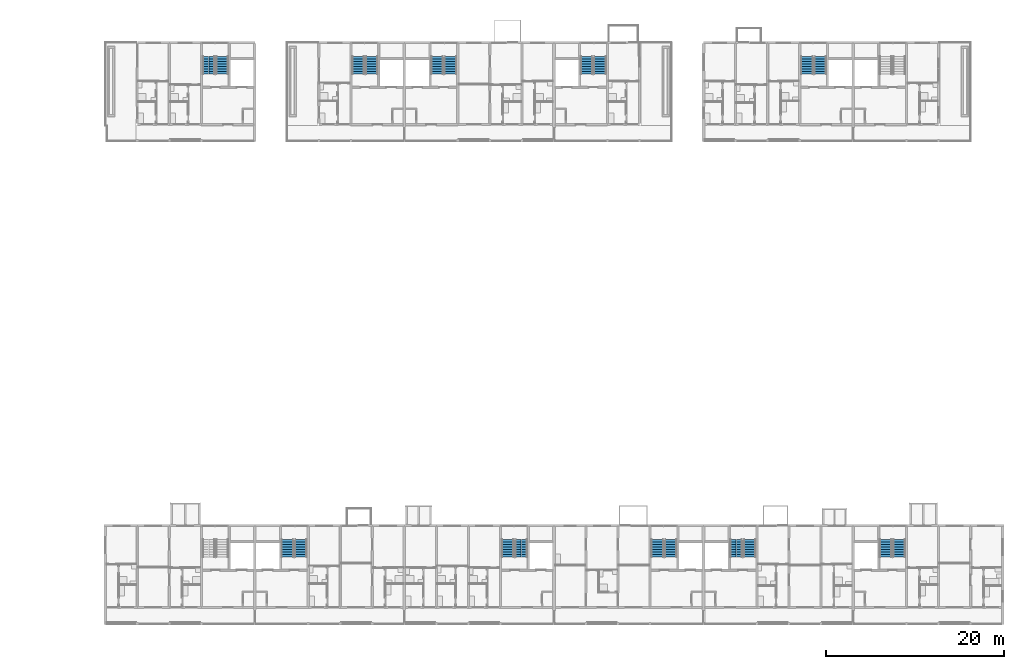
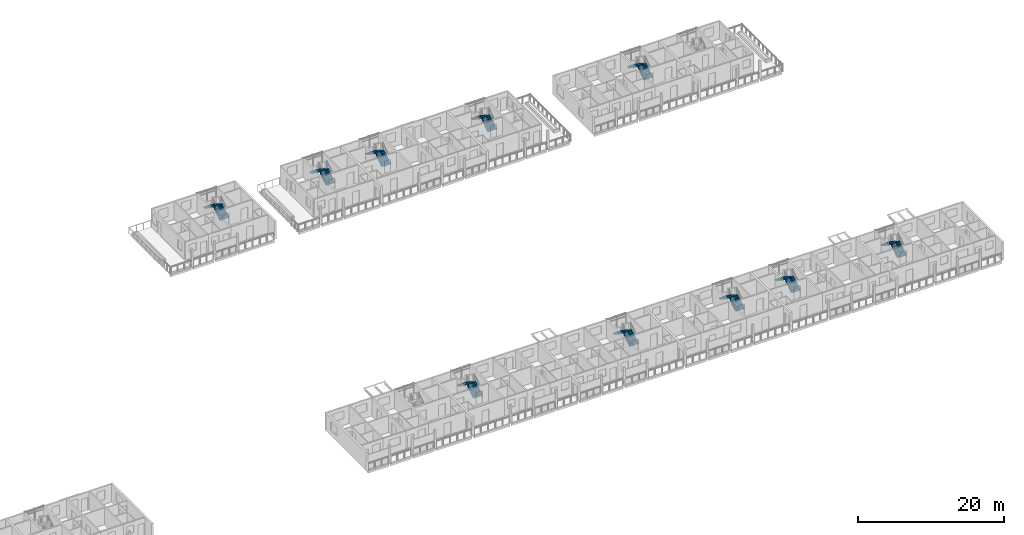
# One storey, part 63 of 94: 20 stair flights, 10 elements without a shape of their own.
"""IFC4 building model written with IfcOpenShell, lengths in metres."""

from ifc_helpers import new_model, si_unit, direction, frame, origin, place, context, subcontext, project, spatial, polyline, outline, extrude, material, type_object, element, aggregate, save


model = new_model("IFC4")

# Units and contexts
model_context = context("Model", 3, precision=1e-05, world=origin(), true_north=direction((0.0, 1.0)))
body_context = subcontext(model_context, "Body", "Model", "MODEL_VIEW")
ifc_project = project(units=[si_unit("LENGTHUNIT", "METRE"), si_unit("AREAUNIT", "SQUARE_METRE"), si_unit("VOLUMEUNIT", "CUBIC_METRE"), si_unit("PLANEANGLEUNIT", "RADIAN"), si_unit("MASSUNIT", "GRAM", prefix="KILO")], contexts=[model_context])

# Site, building, storey
site_placement = place(None, origin())
site = spatial("IfcSite", under=ifc_project, at=site_placement, CompositionType="ELEMENT")
building_placement = place(site_placement, origin())
building = spatial("IfcBuilding", under=site, at=building_placement, Name="Ridgestep Commons", CompositionType="ELEMENT")
storey_placement = place(building_placement, frame((0.0, 0.0, 24.0)))
storey = spatial("IfcBuildingStorey", under=building, at=storey_placement, Name="L08", CompositionType="ELEMENT", Elevation=24.0)

# Stair, stair flights
ifc_material_1 = material(Name="Precast concrete C40/50", Category="concrete")
stair_type = type_object("IfcStairType", Name="Escape stair 1400", PredefinedType="HALF_TURN_STAIR", material=ifc_material_1)
stair_1_placement = place(storey_placement, origin())
stair_1 = element("IfcStair", 1, at=stair_1_placement, inside=storey, type_object=stair_type, Name="L08 Escape stair C1C", PredefinedType="HALF_TURN_STAIR")
ifc_material_2 = material(Name="Precast concrete C40/50", Category="concrete")
stair_flight_type = type_object("IfcStairFlightType", Name="Stair flight 1400", PredefinedType="STRAIGHT", material=ifc_material_2)
stair_flight_1_placement = place(storey_placement, frame((159.925048828125, 73.60009765625, 0.0), z_axis=(0.0, 0.0, 1.0), x_axis=(0.0, 1.0, 0.0)))
stair_flight_1 = element("IfcStairFlight", 2, at=stair_flight_1_placement, type_object=stair_flight_type, Name="C1C flight 1", NumberOfRisers=8, NumberOfTreads=7, PredefinedType="STRAIGHT", RiserHeight=0.1875, TreadLength=0.28, context=body_context, shape_type="SweptSolid", body=[
    extrude(outline(polyline([(0.0, 0.0), (0.0, 0.1875), (0.280029296875, 0.1875), (0.280029296875, 0.375), (0.56005859375, 0.375), (0.56005859375, 0.5625), (0.840087890625, 0.5625), (0.840087890625, 0.75), (1.1201171875, 0.75), (1.1201171875, 0.9375), (1.39990234375, 0.9375), (1.39990234375, 1.125), (1.679931640625, 1.125), (1.679931640625, 1.3125), (1.9599609375, 1.3125), (1.9599609375, 1.5), (1.9599609375, 1.132080078125), (0.26953125, 0.0), (0.0, 0.0)])), frame((0.0, 0.699951171875, 0.0), z_axis=(0.0, -1.0, 0.0), x_axis=(1.0, 0.0, 0.0)), (0.0, 0.0, 1.0), 0.695068359375),
    extrude(outline(polyline([(0.0, 0.0), (0.0, 0.1875), (0.280029296875, 0.1875), (0.280029296875, 0.375), (0.56005859375, 0.375), (0.56005859375, 0.5625), (0.840087890625, 0.5625), (0.840087890625, 0.75), (1.1201171875, 0.75), (1.1201171875, 0.9375), (1.39990234375, 0.9375), (1.39990234375, 1.125), (1.679931640625, 1.125), (1.679931640625, 1.3125), (1.9599609375, 1.3125), (1.9599609375, 1.5), (1.9599609375, 1.132080078125), (0.26953125, 0.0), (0.0, 0.0)])), frame((0.0, -0.0048828125, 0.0), z_axis=(0.0, -1.0, 0.0), x_axis=(1.0, 0.0, 0.0)), (0.0, 0.0, 1.0), 0.695068359375),
])
stair_flight_2_placement = place(storey_placement, frame((158.425048828125, 75.56005859375, 1.5), z_axis=(0.0, 0.0, 1.0), x_axis=(0.0, -1.0, 0.0)))
stair_flight_2 = element("IfcStairFlight", 3, at=stair_flight_2_placement, type_object=stair_flight_type, Name="C1C flight 2", NumberOfRisers=8, NumberOfTreads=7, PredefinedType="STRAIGHT", RiserHeight=0.1875, TreadLength=0.28, context=body_context, shape_type="SweptSolid", body=[
    extrude(outline(polyline([(0.0, 0.0), (0.0, 0.1875), (0.280029296875, 0.1875), (0.280029296875, 0.375), (0.56005859375, 0.375), (0.56005859375, 0.5625), (0.840087890625, 0.5625), (0.840087890625, 0.75), (1.1201171875, 0.75), (1.1201171875, 0.9375), (1.39990234375, 0.9375), (1.39990234375, 1.125), (1.679931640625, 1.125), (1.679931640625, 1.3125), (1.9599609375, 1.3125), (1.9599609375, 1.5), (1.9599609375, 1.132080078125), (0.26953125, 0.0), (0.0, 0.0)])), frame((0.0, 0.699951171875, 0.0), z_axis=(0.0, -1.0, 0.0), x_axis=(1.0, 0.0, 0.0)), (0.0, 0.0, 1.0), 0.695068359375),
    extrude(outline(polyline([(0.0, 0.0), (0.0, 0.1875), (0.280029296875, 0.1875), (0.280029296875, 0.375), (0.56005859375, 0.375), (0.56005859375, 0.5625), (0.840087890625, 0.5625), (0.840087890625, 0.75), (1.1201171875, 0.75), (1.1201171875, 0.9375), (1.39990234375, 0.9375), (1.39990234375, 1.125), (1.679931640625, 1.125), (1.679931640625, 1.3125), (1.9599609375, 1.3125), (1.9599609375, 1.5), (1.9599609375, 1.132080078125), (0.26953125, 0.0), (0.0, 0.0)])), frame((0.0, -0.0048828125, 0.0), z_axis=(0.0, -1.0, 0.0), x_axis=(1.0, 0.0, 0.0)), (0.0, 0.0, 1.0), 0.695068359375),
])
aggregate(stair_1, [stair_flight_1, stair_flight_2])

stair_2_placement = place(storey_placement, origin())
stair_2 = element("IfcStair", 4, at=stair_2_placement, inside=storey, type_object=stair_type, Name="L08 Escape stair C2C", PredefinedType="HALF_TURN_STAIR")
stair_flight_3_placement = place(storey_placement, frame((176.72509765625, 73.60009765625, 0.0), z_axis=(0.0, 0.0, 1.0), x_axis=(0.0, 1.0, 0.0)))
stair_flight_3 = element("IfcStairFlight", 5, at=stair_flight_3_placement, type_object=stair_flight_type, Name="C2C flight 1", NumberOfRisers=8, NumberOfTreads=7, PredefinedType="STRAIGHT", RiserHeight=0.1875, TreadLength=0.28, context=body_context, shape_type="SweptSolid", body=[
    extrude(outline(polyline([(0.0, 0.0), (0.0, 0.1875), (0.280029296875, 0.1875), (0.280029296875, 0.375), (0.56005859375, 0.375), (0.56005859375, 0.5625), (0.840087890625, 0.5625), (0.840087890625, 0.75), (1.1201171875, 0.75), (1.1201171875, 0.9375), (1.39990234375, 0.9375), (1.39990234375, 1.125), (1.679931640625, 1.125), (1.679931640625, 1.3125), (1.9599609375, 1.3125), (1.9599609375, 1.5), (1.9599609375, 1.132080078125), (0.26953125, 0.0), (0.0, 0.0)])), frame((0.0, 0.699951171875, 0.0), z_axis=(0.0, -1.0, 0.0), x_axis=(1.0, 0.0, 0.0)), (0.0, 0.0, 1.0), 0.695068359375),
    extrude(outline(polyline([(0.0, 0.0), (0.0, 0.1875), (0.280029296875, 0.1875), (0.280029296875, 0.375), (0.56005859375, 0.375), (0.56005859375, 0.5625), (0.840087890625, 0.5625), (0.840087890625, 0.75), (1.1201171875, 0.75), (1.1201171875, 0.9375), (1.39990234375, 0.9375), (1.39990234375, 1.125), (1.679931640625, 1.125), (1.679931640625, 1.3125), (1.9599609375, 1.3125), (1.9599609375, 1.5), (1.9599609375, 1.132080078125), (0.26953125, 0.0), (0.0, 0.0)])), frame((0.0, -0.0048828125, 0.0), z_axis=(0.0, -1.0, 0.0), x_axis=(1.0, 0.0, 0.0)), (0.0, 0.0, 1.0), 0.695068359375),
])
stair_flight_4_placement = place(storey_placement, frame((175.22509765625, 75.56005859375, 1.5), z_axis=(0.0, 0.0, 1.0), x_axis=(0.0, -1.0, 0.0)))
stair_flight_4 = element("IfcStairFlight", 6, at=stair_flight_4_placement, type_object=stair_flight_type, Name="C2C flight 2", NumberOfRisers=8, NumberOfTreads=7, PredefinedType="STRAIGHT", RiserHeight=0.1875, TreadLength=0.28, context=body_context, shape_type="SweptSolid", body=[
    extrude(outline(polyline([(0.0, 0.0), (0.0, 0.1875), (0.280029296875, 0.1875), (0.280029296875, 0.375), (0.56005859375, 0.375), (0.56005859375, 0.5625), (0.840087890625, 0.5625), (0.840087890625, 0.75), (1.1201171875, 0.75), (1.1201171875, 0.9375), (1.39990234375, 0.9375), (1.39990234375, 1.125), (1.679931640625, 1.125), (1.679931640625, 1.3125), (1.9599609375, 1.3125), (1.9599609375, 1.5), (1.9599609375, 1.132080078125), (0.26953125, 0.0), (0.0, 0.0)])), frame((0.0, 0.699951171875, 0.0), z_axis=(0.0, -1.0, 0.0), x_axis=(1.0, 0.0, 0.0)), (0.0, 0.0, 1.0), 0.695068359375),
    extrude(outline(polyline([(0.0, 0.0), (0.0, 0.1875), (0.280029296875, 0.1875), (0.280029296875, 0.375), (0.56005859375, 0.375), (0.56005859375, 0.5625), (0.840087890625, 0.5625), (0.840087890625, 0.75), (1.1201171875, 0.75), (1.1201171875, 0.9375), (1.39990234375, 0.9375), (1.39990234375, 1.125), (1.679931640625, 1.125), (1.679931640625, 1.3125), (1.9599609375, 1.3125), (1.9599609375, 1.5), (1.9599609375, 1.132080078125), (0.26953125, 0.0), (0.0, 0.0)])), frame((0.0, -0.0048828125, 0.0), z_axis=(0.0, -1.0, 0.0), x_axis=(1.0, 0.0, 0.0)), (0.0, 0.0, 1.0), 0.695068359375),
])
aggregate(stair_2, [stair_flight_3, stair_flight_4])

stair_3_placement = place(storey_placement, origin())
stair_3 = element("IfcStair", 7, at=stair_3_placement, inside=storey, type_object=stair_type, Name="L08 Escape stair C3C", PredefinedType="HALF_TURN_STAIR")
stair_flight_5_placement = place(storey_placement, frame((185.574951171875, 73.60009765625, 0.0), z_axis=(0.0, 0.0, 1.0), x_axis=(0.0, 1.0, 0.0)))
stair_flight_5 = element("IfcStairFlight", 8, at=stair_flight_5_placement, type_object=stair_flight_type, Name="C3C flight 1", NumberOfRisers=8, NumberOfTreads=7, PredefinedType="STRAIGHT", RiserHeight=0.1875, TreadLength=0.28, context=body_context, shape_type="SweptSolid", body=[
    extrude(outline(polyline([(0.0, 0.0), (0.0, 0.1875), (0.280029296875, 0.1875), (0.280029296875, 0.375), (0.56005859375, 0.375), (0.56005859375, 0.5625), (0.840087890625, 0.5625), (0.840087890625, 0.75), (1.1201171875, 0.75), (1.1201171875, 0.9375), (1.39990234375, 0.9375), (1.39990234375, 1.125), (1.679931640625, 1.125), (1.679931640625, 1.3125), (1.9599609375, 1.3125), (1.9599609375, 1.5), (1.9599609375, 1.132080078125), (0.26953125, 0.0), (0.0, 0.0)])), frame((0.0, 0.699951171875, 0.0), z_axis=(0.0, -1.0, 0.0), x_axis=(1.0, 0.0, 0.0)), (0.0, 0.0, 1.0), 0.695068359375),
    extrude(outline(polyline([(0.0, 0.0), (0.0, 0.1875), (0.280029296875, 0.1875), (0.280029296875, 0.375), (0.56005859375, 0.375), (0.56005859375, 0.5625), (0.840087890625, 0.5625), (0.840087890625, 0.75), (1.1201171875, 0.75), (1.1201171875, 0.9375), (1.39990234375, 0.9375), (1.39990234375, 1.125), (1.679931640625, 1.125), (1.679931640625, 1.3125), (1.9599609375, 1.3125), (1.9599609375, 1.5), (1.9599609375, 1.132080078125), (0.26953125, 0.0), (0.0, 0.0)])), frame((0.0, -0.0048828125, 0.0), z_axis=(0.0, -1.0, 0.0), x_axis=(1.0, 0.0, 0.0)), (0.0, 0.0, 1.0), 0.695068359375),
])
stair_flight_6_placement = place(storey_placement, frame((184.074951171875, 75.56005859375, 1.5), z_axis=(0.0, 0.0, 1.0), x_axis=(0.0, -1.0, 0.0)))
stair_flight_6 = element("IfcStairFlight", 9, at=stair_flight_6_placement, type_object=stair_flight_type, Name="C3C flight 2", NumberOfRisers=8, NumberOfTreads=7, PredefinedType="STRAIGHT", RiserHeight=0.1875, TreadLength=0.28, context=body_context, shape_type="SweptSolid", body=[
    extrude(outline(polyline([(0.0, 0.0), (0.0, 0.1875), (0.280029296875, 0.1875), (0.280029296875, 0.375), (0.56005859375, 0.375), (0.56005859375, 0.5625), (0.840087890625, 0.5625), (0.840087890625, 0.75), (1.1201171875, 0.75), (1.1201171875, 0.9375), (1.39990234375, 0.9375), (1.39990234375, 1.125), (1.679931640625, 1.125), (1.679931640625, 1.3125), (1.9599609375, 1.3125), (1.9599609375, 1.5), (1.9599609375, 1.132080078125), (0.26953125, 0.0), (0.0, 0.0)])), frame((0.0, 0.699951171875, 0.0), z_axis=(0.0, -1.0, 0.0), x_axis=(1.0, 0.0, 0.0)), (0.0, 0.0, 1.0), 0.695068359375),
    extrude(outline(polyline([(0.0, 0.0), (0.0, 0.1875), (0.280029296875, 0.1875), (0.280029296875, 0.375), (0.56005859375, 0.375), (0.56005859375, 0.5625), (0.840087890625, 0.5625), (0.840087890625, 0.75), (1.1201171875, 0.75), (1.1201171875, 0.9375), (1.39990234375, 0.9375), (1.39990234375, 1.125), (1.679931640625, 1.125), (1.679931640625, 1.3125), (1.9599609375, 1.3125), (1.9599609375, 1.5), (1.9599609375, 1.132080078125), (0.26953125, 0.0), (0.0, 0.0)])), frame((0.0, -0.0048828125, 0.0), z_axis=(0.0, -1.0, 0.0), x_axis=(1.0, 0.0, 0.0)), (0.0, 0.0, 1.0), 0.695068359375),
])
aggregate(stair_3, [stair_flight_5, stair_flight_6])

stair_4_placement = place(storey_placement, origin())
stair_4 = element("IfcStair", 10, at=stair_4_placement, inside=storey, type_object=stair_type, Name="L08 Escape stair C4C", PredefinedType="HALF_TURN_STAIR")
stair_flight_7_placement = place(storey_placement, frame((202.375, 73.60009765625, 0.0), z_axis=(0.0, 0.0, 1.0), x_axis=(0.0, 1.0, 0.0)))
stair_flight_7 = element("IfcStairFlight", 11, at=stair_flight_7_placement, type_object=stair_flight_type, Name="C4C flight 1", NumberOfRisers=8, NumberOfTreads=7, PredefinedType="STRAIGHT", RiserHeight=0.1875, TreadLength=0.28, context=body_context, shape_type="SweptSolid", body=[
    extrude(outline(polyline([(0.0, 0.0), (0.0, 0.1875), (0.280029296875, 0.1875), (0.280029296875, 0.375), (0.56005859375, 0.375), (0.56005859375, 0.5625), (0.840087890625, 0.5625), (0.840087890625, 0.75), (1.1201171875, 0.75), (1.1201171875, 0.9375), (1.39990234375, 0.9375), (1.39990234375, 1.125), (1.679931640625, 1.125), (1.679931640625, 1.3125), (1.9599609375, 1.3125), (1.9599609375, 1.5), (1.9599609375, 1.132080078125), (0.26953125, 0.0), (0.0, 0.0)])), frame((0.0, 0.699951171875, 0.0), z_axis=(0.0, -1.0, 0.0), x_axis=(1.0, 0.0, 0.0)), (0.0, 0.0, 1.0), 0.695068359375),
    extrude(outline(polyline([(0.0, 0.0), (0.0, 0.1875), (0.280029296875, 0.1875), (0.280029296875, 0.375), (0.56005859375, 0.375), (0.56005859375, 0.5625), (0.840087890625, 0.5625), (0.840087890625, 0.75), (1.1201171875, 0.75), (1.1201171875, 0.9375), (1.39990234375, 0.9375), (1.39990234375, 1.125), (1.679931640625, 1.125), (1.679931640625, 1.3125), (1.9599609375, 1.3125), (1.9599609375, 1.5), (1.9599609375, 1.132080078125), (0.26953125, 0.0), (0.0, 0.0)])), frame((0.0, -0.0048828125, 0.0), z_axis=(0.0, -1.0, 0.0), x_axis=(1.0, 0.0, 0.0)), (0.0, 0.0, 1.0), 0.695068359375),
])
stair_flight_8_placement = place(storey_placement, frame((200.875, 75.56005859375, 1.5), z_axis=(0.0, 0.0, 1.0), x_axis=(0.0, -1.0, 0.0)))
stair_flight_8 = element("IfcStairFlight", 12, at=stair_flight_8_placement, type_object=stair_flight_type, Name="C4C flight 2", NumberOfRisers=8, NumberOfTreads=7, PredefinedType="STRAIGHT", RiserHeight=0.1875, TreadLength=0.28, context=body_context, shape_type="SweptSolid", body=[
    extrude(outline(polyline([(0.0, 0.0), (0.0, 0.1875), (0.280029296875, 0.1875), (0.280029296875, 0.375), (0.56005859375, 0.375), (0.56005859375, 0.5625), (0.840087890625, 0.5625), (0.840087890625, 0.75), (1.1201171875, 0.75), (1.1201171875, 0.9375), (1.39990234375, 0.9375), (1.39990234375, 1.125), (1.679931640625, 1.125), (1.679931640625, 1.3125), (1.9599609375, 1.3125), (1.9599609375, 1.5), (1.9599609375, 1.132080078125), (0.26953125, 0.0), (0.0, 0.0)])), frame((0.0, 0.699951171875, 0.0), z_axis=(0.0, -1.0, 0.0), x_axis=(1.0, 0.0, 0.0)), (0.0, 0.0, 1.0), 0.695068359375),
    extrude(outline(polyline([(0.0, 0.0), (0.0, 0.1875), (0.280029296875, 0.1875), (0.280029296875, 0.375), (0.56005859375, 0.375), (0.56005859375, 0.5625), (0.840087890625, 0.5625), (0.840087890625, 0.75), (1.1201171875, 0.75), (1.1201171875, 0.9375), (1.39990234375, 0.9375), (1.39990234375, 1.125), (1.679931640625, 1.125), (1.679931640625, 1.3125), (1.9599609375, 1.3125), (1.9599609375, 1.5), (1.9599609375, 1.132080078125), (0.26953125, 0.0), (0.0, 0.0)])), frame((0.0, -0.0048828125, 0.0), z_axis=(0.0, -1.0, 0.0), x_axis=(1.0, 0.0, 0.0)), (0.0, 0.0, 1.0), 0.695068359375),
])
aggregate(stair_4, [stair_flight_7, stair_flight_8])

stair_5_placement = place(storey_placement, origin())
stair_5 = element("IfcStair", 13, at=stair_5_placement, inside=storey, type_object=stair_type, Name="L08 Escape stair C5C", PredefinedType="HALF_TURN_STAIR")
stair_flight_9_placement = place(storey_placement, frame((227.125, 73.60009765625, 0.0), z_axis=(0.0, 0.0, 1.0), x_axis=(0.0, 1.0, 0.0)))
stair_flight_9 = element("IfcStairFlight", 14, at=stair_flight_9_placement, type_object=stair_flight_type, Name="C5C flight 1", NumberOfRisers=8, NumberOfTreads=7, PredefinedType="STRAIGHT", RiserHeight=0.1875, TreadLength=0.28, context=body_context, shape_type="SweptSolid", body=[
    extrude(outline(polyline([(0.0, 0.0), (0.0, 0.1875), (0.280029296875, 0.1875), (0.280029296875, 0.375), (0.56005859375, 0.375), (0.56005859375, 0.5625), (0.840087890625, 0.5625), (0.840087890625, 0.75), (1.1201171875, 0.75), (1.1201171875, 0.9375), (1.39990234375, 0.9375), (1.39990234375, 1.125), (1.679931640625, 1.125), (1.679931640625, 1.3125), (1.9599609375, 1.3125), (1.9599609375, 1.5), (1.9599609375, 1.132080078125), (0.26953125, 0.0), (0.0, 0.0)])), frame((0.0, 0.699951171875, 0.0), z_axis=(0.0, -1.0, 0.0), x_axis=(1.0, 0.0, 0.0)), (0.0, 0.0, 1.0), 0.695068359375),
    extrude(outline(polyline([(0.0, 0.0), (0.0, 0.1875), (0.280029296875, 0.1875), (0.280029296875, 0.375), (0.56005859375, 0.375), (0.56005859375, 0.5625), (0.840087890625, 0.5625), (0.840087890625, 0.75), (1.1201171875, 0.75), (1.1201171875, 0.9375), (1.39990234375, 0.9375), (1.39990234375, 1.125), (1.679931640625, 1.125), (1.679931640625, 1.3125), (1.9599609375, 1.3125), (1.9599609375, 1.5), (1.9599609375, 1.132080078125), (0.26953125, 0.0), (0.0, 0.0)])), frame((0.0, -0.0048828125, 0.0), z_axis=(0.0, -1.0, 0.0), x_axis=(1.0, 0.0, 0.0)), (0.0, 0.0, 1.0), 0.695068359375),
])
stair_flight_10_placement = place(storey_placement, frame((225.625, 75.56005859375, 1.5), z_axis=(0.0, 0.0, 1.0), x_axis=(0.0, -1.0, 0.0)))
stair_flight_10 = element("IfcStairFlight", 15, at=stair_flight_10_placement, type_object=stair_flight_type, Name="C5C flight 2", NumberOfRisers=8, NumberOfTreads=7, PredefinedType="STRAIGHT", RiserHeight=0.1875, TreadLength=0.28, context=body_context, shape_type="SweptSolid", body=[
    extrude(outline(polyline([(0.0, 0.0), (0.0, 0.1875), (0.280029296875, 0.1875), (0.280029296875, 0.375), (0.56005859375, 0.375), (0.56005859375, 0.5625), (0.840087890625, 0.5625), (0.840087890625, 0.75), (1.1201171875, 0.75), (1.1201171875, 0.9375), (1.39990234375, 0.9375), (1.39990234375, 1.125), (1.679931640625, 1.125), (1.679931640625, 1.3125), (1.9599609375, 1.3125), (1.9599609375, 1.5), (1.9599609375, 1.132080078125), (0.26953125, 0.0), (0.0, 0.0)])), frame((0.0, 0.699951171875, 0.0), z_axis=(0.0, -1.0, 0.0), x_axis=(1.0, 0.0, 0.0)), (0.0, 0.0, 1.0), 0.695068359375),
    extrude(outline(polyline([(0.0, 0.0), (0.0, 0.1875), (0.280029296875, 0.1875), (0.280029296875, 0.375), (0.56005859375, 0.375), (0.56005859375, 0.5625), (0.840087890625, 0.5625), (0.840087890625, 0.75), (1.1201171875, 0.75), (1.1201171875, 0.9375), (1.39990234375, 0.9375), (1.39990234375, 1.125), (1.679931640625, 1.125), (1.679931640625, 1.3125), (1.9599609375, 1.3125), (1.9599609375, 1.5), (1.9599609375, 1.132080078125), (0.26953125, 0.0), (0.0, 0.0)])), frame((0.0, -0.0048828125, 0.0), z_axis=(0.0, -1.0, 0.0), x_axis=(1.0, 0.0, 0.0)), (0.0, 0.0, 1.0), 0.695068359375),
])
aggregate(stair_5, [stair_flight_9, stair_flight_10])

stair_6_placement = place(storey_placement, origin())
stair_6 = element("IfcStair", 16, at=stair_6_placement, inside=storey, type_object=stair_type, Name="L08 Escape stair D2C", PredefinedType="HALF_TURN_STAIR")
stair_flight_11_placement = place(storey_placement, frame((168.77490234375, 19.35009765625, 0.0), z_axis=(0.0, 0.0, 1.0), x_axis=(0.0, 1.0, 0.0)))
stair_flight_11 = element("IfcStairFlight", 17, at=stair_flight_11_placement, type_object=stair_flight_type, Name="D2C flight 1", NumberOfRisers=8, NumberOfTreads=7, PredefinedType="STRAIGHT", RiserHeight=0.1875, TreadLength=0.28, context=body_context, shape_type="SweptSolid", body=[
    extrude(outline(polyline([(0.0, 0.0), (0.0, 0.1875), (0.280029296875, 0.1875), (0.280029296875, 0.375), (0.56005859375, 0.375), (0.56005859375, 0.5625), (0.840087890625, 0.5625), (0.840087890625, 0.75), (1.1201171875, 0.75), (1.1201171875, 0.9375), (1.39990234375, 0.9375), (1.39990234375, 1.125), (1.679931640625, 1.125), (1.679931640625, 1.3125), (1.9599609375, 1.3125), (1.9599609375, 1.5), (1.9599609375, 1.132080078125), (0.26953125, 0.0), (0.0, 0.0)])), frame((0.0, 0.699951171875, 0.0), z_axis=(0.0, -1.0, 0.0), x_axis=(1.0, 0.0, 0.0)), (0.0, 0.0, 1.0), 0.695068359375),
    extrude(outline(polyline([(0.0, 0.0), (0.0, 0.1875), (0.280029296875, 0.1875), (0.280029296875, 0.375), (0.56005859375, 0.375), (0.56005859375, 0.5625), (0.840087890625, 0.5625), (0.840087890625, 0.75), (1.1201171875, 0.75), (1.1201171875, 0.9375), (1.39990234375, 0.9375), (1.39990234375, 1.125), (1.679931640625, 1.125), (1.679931640625, 1.3125), (1.9599609375, 1.3125), (1.9599609375, 1.5), (1.9599609375, 1.132080078125), (0.26953125, 0.0), (0.0, 0.0)])), frame((0.0, -0.0048828125, 0.0), z_axis=(0.0, -1.0, 0.0), x_axis=(1.0, 0.0, 0.0)), (0.0, 0.0, 1.0), 0.695068359375),
])
stair_flight_12_placement = place(storey_placement, frame((167.27490234375, 21.31005859375, 1.5), z_axis=(0.0, 0.0, 1.0), x_axis=(0.0, -1.0, 0.0)))
stair_flight_12 = element("IfcStairFlight", 18, at=stair_flight_12_placement, type_object=stair_flight_type, Name="D2C flight 2", NumberOfRisers=8, NumberOfTreads=7, PredefinedType="STRAIGHT", RiserHeight=0.1875, TreadLength=0.28, context=body_context, shape_type="SweptSolid", body=[
    extrude(outline(polyline([(0.0, 0.0), (0.0, 0.1875), (0.280029296875, 0.1875), (0.280029296875, 0.375), (0.56005859375, 0.375), (0.56005859375, 0.5625), (0.840087890625, 0.5625), (0.840087890625, 0.75), (1.1201171875, 0.75), (1.1201171875, 0.9375), (1.39990234375, 0.9375), (1.39990234375, 1.125), (1.679931640625, 1.125), (1.679931640625, 1.3125), (1.9599609375, 1.3125), (1.9599609375, 1.5), (1.9599609375, 1.132080078125), (0.26953125, 0.0), (0.0, 0.0)])), frame((0.0, 0.699951171875, 0.0), z_axis=(0.0, -1.0, 0.0), x_axis=(1.0, 0.0, 0.0)), (0.0, 0.0, 1.0), 0.695068359375),
    extrude(outline(polyline([(0.0, 0.0), (0.0, 0.1875), (0.280029296875, 0.1875), (0.280029296875, 0.375), (0.56005859375, 0.375), (0.56005859375, 0.5625), (0.840087890625, 0.5625), (0.840087890625, 0.75), (1.1201171875, 0.75), (1.1201171875, 0.9375), (1.39990234375, 0.9375), (1.39990234375, 1.125), (1.679931640625, 1.125), (1.679931640625, 1.3125), (1.9599609375, 1.3125), (1.9599609375, 1.5), (1.9599609375, 1.132080078125), (0.26953125, 0.0), (0.0, 0.0)])), frame((0.0, -0.0048828125, 0.0), z_axis=(0.0, -1.0, 0.0), x_axis=(1.0, 0.0, 0.0)), (0.0, 0.0, 1.0), 0.695068359375),
])
aggregate(stair_6, [stair_flight_11, stair_flight_12])

stair_7_placement = place(storey_placement, origin())
stair_7 = element("IfcStair", 19, at=stair_7_placement, inside=storey, type_object=stair_type, Name="L08 Escape stair D3C", PredefinedType="HALF_TURN_STAIR")
stair_flight_13_placement = place(storey_placement, frame((193.52490234375, 19.35009765625, 0.0), z_axis=(0.0, 0.0, 1.0), x_axis=(0.0, 1.0, 0.0)))
stair_flight_13 = element("IfcStairFlight", 20, at=stair_flight_13_placement, type_object=stair_flight_type, Name="D3C flight 1", NumberOfRisers=8, NumberOfTreads=7, PredefinedType="STRAIGHT", RiserHeight=0.1875, TreadLength=0.28, context=body_context, shape_type="SweptSolid", body=[
    extrude(outline(polyline([(0.0, 0.0), (0.0, 0.1875), (0.280029296875, 0.1875), (0.280029296875, 0.375), (0.56005859375, 0.375), (0.56005859375, 0.5625), (0.840087890625, 0.5625), (0.840087890625, 0.75), (1.1201171875, 0.75), (1.1201171875, 0.9375), (1.39990234375, 0.9375), (1.39990234375, 1.125), (1.679931640625, 1.125), (1.679931640625, 1.3125), (1.9599609375, 1.3125), (1.9599609375, 1.5), (1.9599609375, 1.132080078125), (0.26953125, 0.0), (0.0, 0.0)])), frame((0.0, 0.699951171875, 0.0), z_axis=(0.0, -1.0, 0.0), x_axis=(1.0, 0.0, 0.0)), (0.0, 0.0, 1.0), 0.695068359375),
    extrude(outline(polyline([(0.0, 0.0), (0.0, 0.1875), (0.280029296875, 0.1875), (0.280029296875, 0.375), (0.56005859375, 0.375), (0.56005859375, 0.5625), (0.840087890625, 0.5625), (0.840087890625, 0.75), (1.1201171875, 0.75), (1.1201171875, 0.9375), (1.39990234375, 0.9375), (1.39990234375, 1.125), (1.679931640625, 1.125), (1.679931640625, 1.3125), (1.9599609375, 1.3125), (1.9599609375, 1.5), (1.9599609375, 1.132080078125), (0.26953125, 0.0), (0.0, 0.0)])), frame((0.0, -0.0048828125, 0.0), z_axis=(0.0, -1.0, 0.0), x_axis=(1.0, 0.0, 0.0)), (0.0, 0.0, 1.0), 0.695068359375),
])
stair_flight_14_placement = place(storey_placement, frame((192.02490234375, 21.31005859375, 1.5), z_axis=(0.0, 0.0, 1.0), x_axis=(0.0, -1.0, 0.0)))
stair_flight_14 = element("IfcStairFlight", 21, at=stair_flight_14_placement, type_object=stair_flight_type, Name="D3C flight 2", NumberOfRisers=8, NumberOfTreads=7, PredefinedType="STRAIGHT", RiserHeight=0.1875, TreadLength=0.28, context=body_context, shape_type="SweptSolid", body=[
    extrude(outline(polyline([(0.0, 0.0), (0.0, 0.1875), (0.280029296875, 0.1875), (0.280029296875, 0.375), (0.56005859375, 0.375), (0.56005859375, 0.5625), (0.840087890625, 0.5625), (0.840087890625, 0.75), (1.1201171875, 0.75), (1.1201171875, 0.9375), (1.39990234375, 0.9375), (1.39990234375, 1.125), (1.679931640625, 1.125), (1.679931640625, 1.3125), (1.9599609375, 1.3125), (1.9599609375, 1.5), (1.9599609375, 1.132080078125), (0.26953125, 0.0), (0.0, 0.0)])), frame((0.0, 0.699951171875, 0.0), z_axis=(0.0, -1.0, 0.0), x_axis=(1.0, 0.0, 0.0)), (0.0, 0.0, 1.0), 0.695068359375),
    extrude(outline(polyline([(0.0, 0.0), (0.0, 0.1875), (0.280029296875, 0.1875), (0.280029296875, 0.375), (0.56005859375, 0.375), (0.56005859375, 0.5625), (0.840087890625, 0.5625), (0.840087890625, 0.75), (1.1201171875, 0.75), (1.1201171875, 0.9375), (1.39990234375, 0.9375), (1.39990234375, 1.125), (1.679931640625, 1.125), (1.679931640625, 1.3125), (1.9599609375, 1.3125), (1.9599609375, 1.5), (1.9599609375, 1.132080078125), (0.26953125, 0.0), (0.0, 0.0)])), frame((0.0, -0.0048828125, 0.0), z_axis=(0.0, -1.0, 0.0), x_axis=(1.0, 0.0, 0.0)), (0.0, 0.0, 1.0), 0.695068359375),
])
aggregate(stair_7, [stair_flight_13, stair_flight_14])

stair_8_placement = place(storey_placement, origin())
stair_8 = element("IfcStair", 22, at=stair_8_placement, inside=storey, type_object=stair_type, Name="L08 Escape stair D4C", PredefinedType="HALF_TURN_STAIR")
stair_flight_15_placement = place(storey_placement, frame((210.324951171875, 19.35009765625, 0.0), z_axis=(0.0, 0.0, 1.0), x_axis=(0.0, 1.0, 0.0)))
stair_flight_15 = element("IfcStairFlight", 23, at=stair_flight_15_placement, type_object=stair_flight_type, Name="D4C flight 1", NumberOfRisers=8, NumberOfTreads=7, PredefinedType="STRAIGHT", RiserHeight=0.1875, TreadLength=0.28, context=body_context, shape_type="SweptSolid", body=[
    extrude(outline(polyline([(0.0, 0.0), (0.0, 0.1875), (0.280029296875, 0.1875), (0.280029296875, 0.375), (0.56005859375, 0.375), (0.56005859375, 0.5625), (0.840087890625, 0.5625), (0.840087890625, 0.75), (1.1201171875, 0.75), (1.1201171875, 0.9375), (1.39990234375, 0.9375), (1.39990234375, 1.125), (1.679931640625, 1.125), (1.679931640625, 1.3125), (1.9599609375, 1.3125), (1.9599609375, 1.5), (1.9599609375, 1.132080078125), (0.26953125, 0.0), (0.0, 0.0)])), frame((0.0, 0.699951171875, 0.0), z_axis=(0.0, -1.0, 0.0), x_axis=(1.0, 0.0, 0.0)), (0.0, 0.0, 1.0), 0.695068359375),
    extrude(outline(polyline([(0.0, 0.0), (0.0, 0.1875), (0.280029296875, 0.1875), (0.280029296875, 0.375), (0.56005859375, 0.375), (0.56005859375, 0.5625), (0.840087890625, 0.5625), (0.840087890625, 0.75), (1.1201171875, 0.75), (1.1201171875, 0.9375), (1.39990234375, 0.9375), (1.39990234375, 1.125), (1.679931640625, 1.125), (1.679931640625, 1.3125), (1.9599609375, 1.3125), (1.9599609375, 1.5), (1.9599609375, 1.132080078125), (0.26953125, 0.0), (0.0, 0.0)])), frame((0.0, -0.0048828125, 0.0), z_axis=(0.0, -1.0, 0.0), x_axis=(1.0, 0.0, 0.0)), (0.0, 0.0, 1.0), 0.695068359375),
])
stair_flight_16_placement = place(storey_placement, frame((208.824951171875, 21.31005859375, 1.5), z_axis=(0.0, 0.0, 1.0), x_axis=(0.0, -1.0, 0.0)))
stair_flight_16 = element("IfcStairFlight", 24, at=stair_flight_16_placement, type_object=stair_flight_type, Name="D4C flight 2", NumberOfRisers=8, NumberOfTreads=7, PredefinedType="STRAIGHT", RiserHeight=0.1875, TreadLength=0.28, context=body_context, shape_type="SweptSolid", body=[
    extrude(outline(polyline([(0.0, 0.0), (0.0, 0.1875), (0.280029296875, 0.1875), (0.280029296875, 0.375), (0.56005859375, 0.375), (0.56005859375, 0.5625), (0.840087890625, 0.5625), (0.840087890625, 0.75), (1.1201171875, 0.75), (1.1201171875, 0.9375), (1.39990234375, 0.9375), (1.39990234375, 1.125), (1.679931640625, 1.125), (1.679931640625, 1.3125), (1.9599609375, 1.3125), (1.9599609375, 1.5), (1.9599609375, 1.132080078125), (0.26953125, 0.0), (0.0, 0.0)])), frame((0.0, 0.699951171875, 0.0), z_axis=(0.0, -1.0, 0.0), x_axis=(1.0, 0.0, 0.0)), (0.0, 0.0, 1.0), 0.695068359375),
    extrude(outline(polyline([(0.0, 0.0), (0.0, 0.1875), (0.280029296875, 0.1875), (0.280029296875, 0.375), (0.56005859375, 0.375), (0.56005859375, 0.5625), (0.840087890625, 0.5625), (0.840087890625, 0.75), (1.1201171875, 0.75), (1.1201171875, 0.9375), (1.39990234375, 0.9375), (1.39990234375, 1.125), (1.679931640625, 1.125), (1.679931640625, 1.3125), (1.9599609375, 1.3125), (1.9599609375, 1.5), (1.9599609375, 1.132080078125), (0.26953125, 0.0), (0.0, 0.0)])), frame((0.0, -0.0048828125, 0.0), z_axis=(0.0, -1.0, 0.0), x_axis=(1.0, 0.0, 0.0)), (0.0, 0.0, 1.0), 0.695068359375),
])
aggregate(stair_8, [stair_flight_15, stair_flight_16])

stair_9_placement = place(storey_placement, origin())
stair_9 = element("IfcStair", 25, at=stair_9_placement, inside=storey, type_object=stair_type, Name="L08 Escape stair D5C", PredefinedType="HALF_TURN_STAIR")
stair_flight_17_placement = place(storey_placement, frame((219.175048828125, 19.35009765625, 0.0), z_axis=(0.0, 0.0, 1.0), x_axis=(0.0, 1.0, 0.0)))
stair_flight_17 = element("IfcStairFlight", 26, at=stair_flight_17_placement, type_object=stair_flight_type, Name="D5C flight 1", NumberOfRisers=8, NumberOfTreads=7, PredefinedType="STRAIGHT", RiserHeight=0.1875, TreadLength=0.28, context=body_context, shape_type="SweptSolid", body=[
    extrude(outline(polyline([(0.0, 0.0), (0.0, 0.1875), (0.280029296875, 0.1875), (0.280029296875, 0.375), (0.56005859375, 0.375), (0.56005859375, 0.5625), (0.840087890625, 0.5625), (0.840087890625, 0.75), (1.1201171875, 0.75), (1.1201171875, 0.9375), (1.39990234375, 0.9375), (1.39990234375, 1.125), (1.679931640625, 1.125), (1.679931640625, 1.3125), (1.9599609375, 1.3125), (1.9599609375, 1.5), (1.9599609375, 1.132080078125), (0.26953125, 0.0), (0.0, 0.0)])), frame((0.0, 0.699951171875, 0.0), z_axis=(0.0, -1.0, 0.0), x_axis=(1.0, 0.0, 0.0)), (0.0, 0.0, 1.0), 0.695068359375),
    extrude(outline(polyline([(0.0, 0.0), (0.0, 0.1875), (0.280029296875, 0.1875), (0.280029296875, 0.375), (0.56005859375, 0.375), (0.56005859375, 0.5625), (0.840087890625, 0.5625), (0.840087890625, 0.75), (1.1201171875, 0.75), (1.1201171875, 0.9375), (1.39990234375, 0.9375), (1.39990234375, 1.125), (1.679931640625, 1.125), (1.679931640625, 1.3125), (1.9599609375, 1.3125), (1.9599609375, 1.5), (1.9599609375, 1.132080078125), (0.26953125, 0.0), (0.0, 0.0)])), frame((0.0, -0.0048828125, 0.0), z_axis=(0.0, -1.0, 0.0), x_axis=(1.0, 0.0, 0.0)), (0.0, 0.0, 1.0), 0.695068359375),
])
stair_flight_18_placement = place(storey_placement, frame((217.675048828125, 21.31005859375, 1.5), z_axis=(0.0, 0.0, 1.0), x_axis=(0.0, -1.0, 0.0)))
stair_flight_18 = element("IfcStairFlight", 27, at=stair_flight_18_placement, type_object=stair_flight_type, Name="D5C flight 2", NumberOfRisers=8, NumberOfTreads=7, PredefinedType="STRAIGHT", RiserHeight=0.1875, TreadLength=0.28, context=body_context, shape_type="SweptSolid", body=[
    extrude(outline(polyline([(0.0, 0.0), (0.0, 0.1875), (0.280029296875, 0.1875), (0.280029296875, 0.375), (0.56005859375, 0.375), (0.56005859375, 0.5625), (0.840087890625, 0.5625), (0.840087890625, 0.75), (1.1201171875, 0.75), (1.1201171875, 0.9375), (1.39990234375, 0.9375), (1.39990234375, 1.125), (1.679931640625, 1.125), (1.679931640625, 1.3125), (1.9599609375, 1.3125), (1.9599609375, 1.5), (1.9599609375, 1.132080078125), (0.26953125, 0.0), (0.0, 0.0)])), frame((0.0, 0.699951171875, 0.0), z_axis=(0.0, -1.0, 0.0), x_axis=(1.0, 0.0, 0.0)), (0.0, 0.0, 1.0), 0.695068359375),
    extrude(outline(polyline([(0.0, 0.0), (0.0, 0.1875), (0.280029296875, 0.1875), (0.280029296875, 0.375), (0.56005859375, 0.375), (0.56005859375, 0.5625), (0.840087890625, 0.5625), (0.840087890625, 0.75), (1.1201171875, 0.75), (1.1201171875, 0.9375), (1.39990234375, 0.9375), (1.39990234375, 1.125), (1.679931640625, 1.125), (1.679931640625, 1.3125), (1.9599609375, 1.3125), (1.9599609375, 1.5), (1.9599609375, 1.132080078125), (0.26953125, 0.0), (0.0, 0.0)])), frame((0.0, -0.0048828125, 0.0), z_axis=(0.0, -1.0, 0.0), x_axis=(1.0, 0.0, 0.0)), (0.0, 0.0, 1.0), 0.695068359375),
])
aggregate(stair_9, [stair_flight_17, stair_flight_18])

stair_10_placement = place(storey_placement, origin())
stair_10 = element("IfcStair", 28, at=stair_10_placement, inside=storey, type_object=stair_type, Name="L08 Escape stair D6C", PredefinedType="HALF_TURN_STAIR")
stair_flight_19_placement = place(storey_placement, frame((235.97509765625, 19.35009765625, 0.0), z_axis=(0.0, 0.0, 1.0), x_axis=(0.0, 1.0, 0.0)))
stair_flight_19 = element("IfcStairFlight", 29, at=stair_flight_19_placement, type_object=stair_flight_type, Name="D6C flight 1", NumberOfRisers=8, NumberOfTreads=7, PredefinedType="STRAIGHT", RiserHeight=0.1875, TreadLength=0.28, context=body_context, shape_type="SweptSolid", body=[
    extrude(outline(polyline([(0.0, 0.0), (0.0, 0.1875), (0.280029296875, 0.1875), (0.280029296875, 0.375), (0.56005859375, 0.375), (0.56005859375, 0.5625), (0.840087890625, 0.5625), (0.840087890625, 0.75), (1.1201171875, 0.75), (1.1201171875, 0.9375), (1.39990234375, 0.9375), (1.39990234375, 1.125), (1.679931640625, 1.125), (1.679931640625, 1.3125), (1.9599609375, 1.3125), (1.9599609375, 1.5), (1.9599609375, 1.132080078125), (0.26953125, 0.0), (0.0, 0.0)])), frame((0.0, 0.699951171875, 0.0), z_axis=(0.0, -1.0, 0.0), x_axis=(1.0, 0.0, 0.0)), (0.0, 0.0, 1.0), 0.695068359375),
    extrude(outline(polyline([(0.0, 0.0), (0.0, 0.1875), (0.280029296875, 0.1875), (0.280029296875, 0.375), (0.56005859375, 0.375), (0.56005859375, 0.5625), (0.840087890625, 0.5625), (0.840087890625, 0.75), (1.1201171875, 0.75), (1.1201171875, 0.9375), (1.39990234375, 0.9375), (1.39990234375, 1.125), (1.679931640625, 1.125), (1.679931640625, 1.3125), (1.9599609375, 1.3125), (1.9599609375, 1.5), (1.9599609375, 1.132080078125), (0.26953125, 0.0), (0.0, 0.0)])), frame((0.0, -0.0048828125, 0.0), z_axis=(0.0, -1.0, 0.0), x_axis=(1.0, 0.0, 0.0)), (0.0, 0.0, 1.0), 0.695068359375),
])
stair_flight_20_placement = place(storey_placement, frame((234.47509765625, 21.31005859375, 1.5), z_axis=(0.0, 0.0, 1.0), x_axis=(0.0, -1.0, 0.0)))
stair_flight_20 = element("IfcStairFlight", 30, at=stair_flight_20_placement, type_object=stair_flight_type, Name="D6C flight 2", NumberOfRisers=8, NumberOfTreads=7, PredefinedType="STRAIGHT", RiserHeight=0.1875, TreadLength=0.28, context=body_context, shape_type="SweptSolid", body=[
    extrude(outline(polyline([(0.0, 0.0), (0.0, 0.1875), (0.280029296875, 0.1875), (0.280029296875, 0.375), (0.56005859375, 0.375), (0.56005859375, 0.5625), (0.840087890625, 0.5625), (0.840087890625, 0.75), (1.1201171875, 0.75), (1.1201171875, 0.9375), (1.39990234375, 0.9375), (1.39990234375, 1.125), (1.679931640625, 1.125), (1.679931640625, 1.3125), (1.9599609375, 1.3125), (1.9599609375, 1.5), (1.9599609375, 1.132080078125), (0.26953125, 0.0), (0.0, 0.0)])), frame((0.0, 0.699951171875, 0.0), z_axis=(0.0, -1.0, 0.0), x_axis=(1.0, 0.0, 0.0)), (0.0, 0.0, 1.0), 0.695068359375),
    extrude(outline(polyline([(0.0, 0.0), (0.0, 0.1875), (0.280029296875, 0.1875), (0.280029296875, 0.375), (0.56005859375, 0.375), (0.56005859375, 0.5625), (0.840087890625, 0.5625), (0.840087890625, 0.75), (1.1201171875, 0.75), (1.1201171875, 0.9375), (1.39990234375, 0.9375), (1.39990234375, 1.125), (1.679931640625, 1.125), (1.679931640625, 1.3125), (1.9599609375, 1.3125), (1.9599609375, 1.5), (1.9599609375, 1.132080078125), (0.26953125, 0.0), (0.0, 0.0)])), frame((0.0, -0.0048828125, 0.0), z_axis=(0.0, -1.0, 0.0), x_axis=(1.0, 0.0, 0.0)), (0.0, 0.0, 1.0), 0.695068359375),
])
aggregate(stair_10, [stair_flight_19, stair_flight_20])

save(model, "model.ifc")
